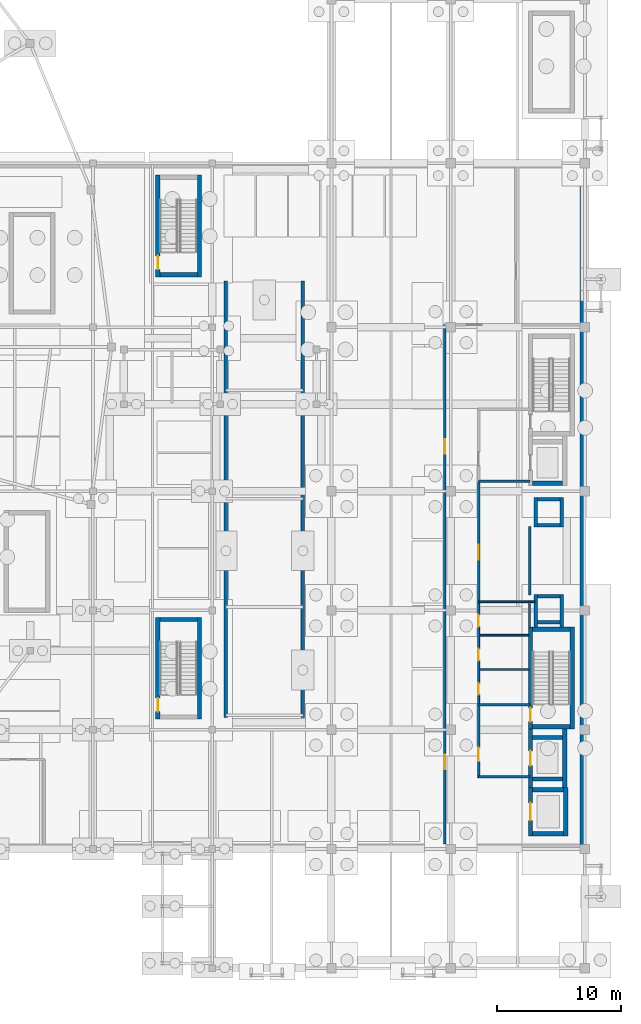
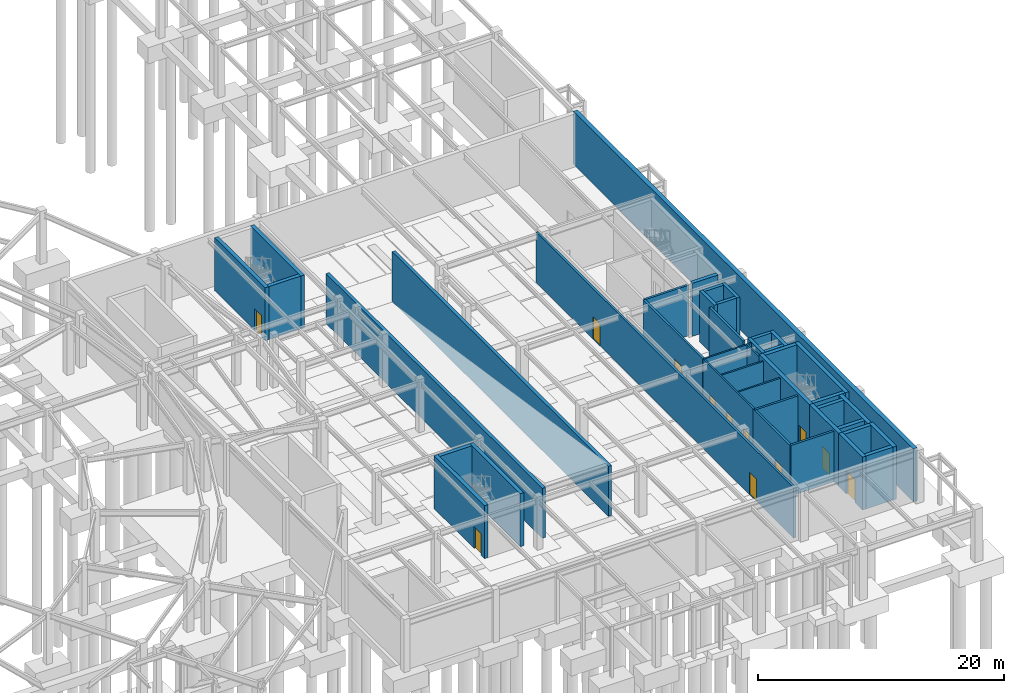
# One storey, part 48 of 55: 42 walls, 12 doors, 12 openings.
"""IFC4 building model written with IfcOpenShell, lengths in metres."""

from ifc_helpers import new_model, si_unit, direction, frame, frame_2d, origin, place, context, subcontext, project, spatial, rectangle, extrude, material, layer, layer_set, type_object, element, fill, save


model = new_model("IFC4")

# Units and contexts
model_context = context("Model", 3, precision=1e-05, world=origin(), true_north=direction((0.0, 1.0)))
body_context = subcontext(model_context, "Body", "Model", "MODEL_VIEW")
ifc_project = project(units=[si_unit("LENGTHUNIT", "METRE"), si_unit("AREAUNIT", "SQUARE_METRE"), si_unit("VOLUMEUNIT", "CUBIC_METRE"), si_unit("PLANEANGLEUNIT", "RADIAN"), si_unit("MASSUNIT", "GRAM", prefix="KILO")], contexts=[model_context])

# Site, building, storey
site_placement = place(None, origin())
site = spatial("IfcSite", under=ifc_project, at=site_placement, CompositionType="ELEMENT")
building_placement = place(site_placement, origin())
building = spatial("IfcBuilding", under=site, at=building_placement, Name="Almandine Court Research Institute", CompositionType="ELEMENT")
storey_placement = place(building_placement, frame((0.0, 0.0, -5.25)))
storey = spatial("IfcBuildingStorey", under=building, at=storey_placement, Name="B1", CompositionType="ELEMENT", Elevation=-5.25)

# Wall, opening, door
ifc_material_1 = material(Name="Two-Hour Fire-Barrier Enclosure Wall")
ifc_layer_1 = layer(ifc_material_1, 0.199951171875)
ifc_layer_set_1 = layer_set([ifc_layer_1], Name="Two-Hour Fire-Barrier Enclosure Wall")
wall_type_1 = type_object("IfcWallType", Name="Wall-FIRE-200", PredefinedType="SOLIDWALL", material=ifc_layer_set_1)
wall_1_placement = place(storey_placement, frame((165.449951171875, 21.300048828125, 0.0), z_axis=(0.0, 0.0, 1.0), x_axis=(0.0, 1.0, 0.0)))
wall_1 = element("IfcWall", 1, at=wall_1_placement, inside=storey, type_object=wall_type_1, Name="B1 Interior Partition W-FFL1-B1-W", PredefinedType="SOLIDWALL", context=body_context, shape_type="SweptSolid", body=[
    extrude(rectangle(XDim=6.0, YDim=0.199951171875, at=frame_2d((3.0, 0.0))), origin(), (0.0, 0.0, 1.0), 5.0),
])
opening_1_placement = place(wall_1_placement, frame((1.35009765625, 0.0, 0.0)))
opening_1 = element("IfcOpeningElement", 2, at=opening_1_placement, cuts=wall_1, Name="Opening FD-FFL", PredefinedType="OPENING", context=body_context, shape_type="SweptSolid", body=[
    extrude(rectangle(XDim=1.10009765625, YDim=2.14990234375, at=frame_2d((0.550048828125, 1.074951171875))), frame((0.0, 0.10986328125, 0.0), z_axis=(0.0, -1.0, 0.0), x_axis=(1.0, 0.0, 0.0)), (0.0, 0.0, 1.0), 0.219970703125),
])
ifc_material_2 = material(Name="Smoke-Tight Firefighting Lobby Fire Door")
door_type_1 = type_object("IfcDoorType", Name="Door-FD-FFL-1100", OperationType="NOTDEFINED", PredefinedType="DOOR", material=ifc_material_2)
door_1_placement = place(opening_1_placement, origin())
door_1 = element("IfcDoor", 3, at=door_1_placement, inside=storey, type_object=door_type_1, Name="B1 Firefighting Lobby Fire Door 1", OperationType="SINGLE_SWING_RIGHT", OverallHeight=2.14990234375, OverallWidth=1.10009765625, PredefinedType="DOOR", context=body_context, shape_type="SweptSolid", body=[
    extrude(rectangle(XDim=1.10009765625, YDim=2.14990234375, at=frame_2d((0.550048828125, 1.074951171875))), frame((0.0, 0.02490234375, 0.0), z_axis=(0.0, -1.0, 0.0), x_axis=(1.0, 0.0, 0.0)), (0.0, 0.0, 1.0), 0.050048828125),
])
fill(opening_1, door_1)

# Walls
for number, where, z_axis, x_axis, name in (
    (4, (165.449951171875, 21.39990234375, 0.0), (0.0, 0.0, 1.0), (1.0, 0.0, 0.0), "B1 Interior Partition W-FFL1-B1-S"),
    (5, (165.449951171875, 27.199951171875, 0.0), (0.0, 0.0, 1.0), (1.0, 0.0, 0.0), "B1 Interior Partition W-FFL1-B1-N"),
    (6, (165.449951171875, 45.199951171875, 0.0), (0.0, 0.0, 1.0), (1.0, 0.0, 0.0), "B1 Interior Partition W-FFL2-B1-S"),
):
    element("IfcWall", number, at=place(storey_placement, frame(where, z_axis=z_axis, x_axis=x_axis)), inside=storey, type_object=wall_type_1, Name=name, PredefinedType="SOLIDWALL", context=body_context, shape_type="SweptSolid", body=[
        extrude(rectangle(XDim=4.150146484375, YDim=0.199951171875, at=frame_2d((2.0751953125, 0.0))), origin(), (0.0, 0.0, 1.0), 5.0),
    ])

# Wall, opening, door
wall_2_placement = place(storey_placement, frame((165.449951171875, 35.5, 0.0), z_axis=(0.0, 0.0, 1.0), x_axis=(0.0, 1.0, 0.0)))
wall_2 = element("IfcWall", 7, at=wall_2_placement, inside=storey, type_object=wall_type_1, Name="B1 Interior Partition W-B1-WATE", PredefinedType="SOLIDWALL", context=body_context, shape_type="SweptSolid", body=[
    extrude(rectangle(XDim=9.699951171875, YDim=0.199951171875, at=frame_2d((4.85009765625, 0.0))), origin(), (0.0, 0.0, 1.0), 5.0),
])
opening_2_placement = place(wall_2_placement, frame((3.39990234375, 0.0, 0.0)))
opening_2 = element("IfcOpeningElement", 8, at=opening_2_placement, cuts=wall_2, Name="Opening FD-LAB", PredefinedType="OPENING", context=body_context, shape_type="SweptSolid", body=[
    extrude(rectangle(XDim=1.199951171875, YDim=2.199951171875, at=frame_2d((0.60009765625, 1.10009765625))), frame((0.0, 0.10986328125, 0.0), z_axis=(0.0, -1.0, 0.0), x_axis=(1.0, 0.0, 0.0)), (0.0, 0.0, 1.0), 0.219970703125),
])
ifc_material_3 = material(Name="Fire-Rated Laboratory Containment Door")
door_type_2 = type_object("IfcDoorType", Name="Door-FD-LAB-1200", OperationType="NOTDEFINED", PredefinedType="DOOR", material=ifc_material_3)
door_2_placement = place(opening_2_placement, origin())
door_2 = element("IfcDoor", 9, at=door_2_placement, inside=storey, type_object=door_type_2, Name="B1 Water Treatment Plant Fire Door", OperationType="SINGLE_SWING_RIGHT", OverallHeight=2.199951171875, OverallWidth=1.199951171875, PredefinedType="DOOR", context=body_context, shape_type="SweptSolid", body=[
    extrude(rectangle(XDim=1.199951171875, YDim=2.199951171875, at=frame_2d((0.60009765625, 1.10009765625))), frame((0.0, 0.02490234375, 0.0), z_axis=(0.0, -1.0, 0.0), x_axis=(1.0, 0.0, 0.0)), (0.0, 0.0, 1.0), 0.050048828125),
])
fill(opening_2, door_2)

# Wall
wall_3_placement = place(storey_placement, frame((169.550048828125, 36.050048828125, 0.0), z_axis=(0.0, 0.0, 1.0), x_axis=(0.0, 1.0, 0.0)))
element("IfcWall", 10, at=wall_3_placement, inside=storey, type_object=wall_type_1, Name="B1 Interior Partition W-B1-WATE-E", PredefinedType="SOLIDWALL", context=body_context, shape_type="SweptSolid", body=[
    extrude(rectangle(XDim=5.5, YDim=0.199951171875, at=frame_2d((2.75, 0.0))), origin(), (0.0, 0.0, 1.0), 5.0),
])

# Wall, openings, doors
wall_4_placement = place(storey_placement, frame((162.719970703125, 16.0, 0.0), z_axis=(0.0, 0.0, 1.0), x_axis=(0.0, 1.0, 0.0)))
wall_4 = element("IfcWall", 11, at=wall_4_placement, inside=storey, type_object=wall_type_1, Name="B1 Interior Partition W-B1-CP-EAST", PredefinedType="SOLIDWALL", context=body_context, shape_type="SweptSolid", body=[
    extrude(rectangle(XDim=41.800048828125, YDim=0.199951171875, at=frame_2d((20.89990234375, 0.0))), origin(), (0.0, 0.0, 1.0), 5.0),
])
opening_3_placement = place(wall_4_placement, frame((6.0, 0.0, 0.0)))
opening_3 = element("IfcOpeningElement", 12, at=opening_3_placement, cuts=wall_4, Name="Opening FD-LAB", PredefinedType="OPENING", context=body_context, shape_type="SweptSolid", body=[
    extrude(rectangle(XDim=1.199951171875, YDim=2.199951171875, at=frame_2d((0.60009765625, 1.10009765625))), frame((0.0, 0.10986328125, 0.0), z_axis=(0.0, -1.0, 0.0), x_axis=(1.0, 0.0, 0.0)), (0.0, 0.0, 1.0), 0.219970703125),
])
opening_4_placement = place(wall_4_placement, frame((31.39990234375, 0.0, 0.0)))
opening_4 = element("IfcOpeningElement", 13, at=opening_4_placement, cuts=wall_4, Name="Opening FD-LAB", PredefinedType="OPENING", context=body_context, shape_type="SweptSolid", body=[
    extrude(rectangle(XDim=1.199951171875, YDim=2.199951171875, at=frame_2d((0.60009765625, 1.10009765625))), frame((0.0, 0.10986328125, 0.0), z_axis=(0.0, -1.0, 0.0), x_axis=(1.0, 0.0, 0.0)), (0.0, 0.0, 1.0), 0.219970703125),
])
door_3_placement = place(opening_3_placement, origin())
door_3 = element("IfcDoor", 14, at=door_3_placement, inside=storey, type_object=door_type_2, Name="B1 Car Park South Core Corridor Fire Door", OperationType="SINGLE_SWING_LEFT", OverallHeight=2.199951171875, OverallWidth=1.199951171875, PredefinedType="DOOR", context=body_context, shape_type="SweptSolid", body=[
    extrude(rectangle(XDim=1.199951171875, YDim=2.199951171875, at=frame_2d((0.60009765625, 1.10009765625))), frame((0.0, 0.02490234375, 0.0), z_axis=(0.0, -1.0, 0.0), x_axis=(1.0, 0.0, 0.0)), (0.0, 0.0, 1.0), 0.050048828125),
])
fill(opening_3, door_3)
door_4_placement = place(opening_4_placement, origin())
door_4 = element("IfcDoor", 15, at=door_4_placement, inside=storey, type_object=door_type_2, Name="B1 Car Park North Core Corridor Fire Door", OperationType="SINGLE_SWING_RIGHT", OverallHeight=2.199951171875, OverallWidth=1.199951171875, PredefinedType="DOOR", context=body_context, shape_type="SweptSolid", body=[
    extrude(rectangle(XDim=1.199951171875, YDim=2.199951171875, at=frame_2d((0.60009765625, 1.10009765625))), frame((0.0, 0.02490234375, 0.0), z_axis=(0.0, -1.0, 0.0), x_axis=(1.0, 0.0, 0.0)), (0.0, 0.0, 1.0), 0.050048828125),
])
fill(opening_4, door_4)

# Walls
ifc_material_4 = material(Name="Acoustic Steel-Stud Gypsum Partition Wall", Category="steel")
ifc_layer_2 = layer(ifc_material_4, 0.14990234375)
ifc_layer_set_2 = layer_set([ifc_layer_2], Name="Acoustic Steel-Stud Gypsum Partition Wall")
wall_type_2 = type_object("IfcWallType", Name="Wall-PART-150", PredefinedType="PARTITIONING", material=ifc_layer_set_2)
for number, where, z_axis, x_axis, name in (
    (16, (165.550048828125, 30.050048828125, 0.0), (0.0, 0.0, 1.0), (1.0, 0.0, 0.0), "B1 Interior Partition W-B1-WCS-2"),
    (17, (165.550048828125, 32.800048828125, 0.0), (0.0, 0.0, 1.0), (1.0, 0.0, 0.0), "B1 Interior Partition W-B1-WCS-3"),
):
    element("IfcWall", number, at=place(storey_placement, frame(where, z_axis=z_axis, x_axis=x_axis)), inside=storey, type_object=wall_type_2, Name=name, PredefinedType="PARTITIONING", context=body_context, shape_type="SweptSolid", body=[
        extrude(rectangle(XDim=3.949951171875, YDim=0.14990234375, at=frame_2d((1.97509765625, 0.0))), origin(), (0.0, 0.0, 1.0), 5.0),
    ])

# Wall, openings, doors
wall_5_placement = place(storey_placement, frame((165.449951171875, 27.300048828125, 0.0), z_axis=(0.0, 0.0, 1.0), x_axis=(0.0, 1.0, 0.0)))
wall_5 = element("IfcWall", 18, at=wall_5_placement, inside=storey, type_object=wall_type_2, Name="B1 Interior Partition W-B1-WCW-ALL", PredefinedType="PARTITIONING", context=body_context, shape_type="SweptSolid", body=[
    extrude(rectangle(XDim=8.199951171875, YDim=0.14990234375, at=frame_2d((4.10009765625, 0.0))), origin(), (0.0, 0.0, 1.0), 5.0),
])
opening_5_placement = place(wall_5_placement, frame((0.699951171875, 0.0, 0.0)))
opening_5 = element("IfcOpeningElement", 19, at=opening_5_placement, cuts=wall_5, Name="Opening D-01", PredefinedType="OPENING", context=body_context, shape_type="SweptSolid", body=[
    extrude(rectangle(XDim=0.949951171875, YDim=2.10009765625, at=frame_2d((0.47509765625, 1.050048828125))), frame((0.0, 0.0849609375, 0.0), z_axis=(0.0, -1.0, 0.0), x_axis=(1.0, 0.0, 0.0)), (0.0, 0.0, 1.0), 0.169921875),
])
opening_6_placement = place(wall_5_placement, frame((3.449951171875, 0.0, 0.0)))
opening_6 = element("IfcOpeningElement", 20, at=opening_6_placement, cuts=wall_5, Name="Opening D-01", PredefinedType="OPENING", context=body_context, shape_type="SweptSolid", body=[
    extrude(rectangle(XDim=0.949951171875, YDim=2.10009765625, at=frame_2d((0.47509765625, 1.050048828125))), frame((0.0, 0.0849609375, 0.0), z_axis=(0.0, -1.0, 0.0), x_axis=(1.0, 0.0, 0.0)), (0.0, 0.0, 1.0), 0.169921875),
])
opening_7_placement = place(wall_5_placement, frame((6.199951171875, 0.0, 0.0)))
opening_7 = element("IfcOpeningElement", 21, at=opening_7_placement, cuts=wall_5, Name="Opening D-01", PredefinedType="OPENING", context=body_context, shape_type="SweptSolid", body=[
    extrude(rectangle(XDim=0.949951171875, YDim=2.10009765625, at=frame_2d((0.47509765625, 1.050048828125))), frame((0.0, 0.0849609375, 0.0), z_axis=(0.0, -1.0, 0.0), x_axis=(1.0, 0.0, 0.0)), (0.0, 0.0, 1.0), 0.169921875),
])
ifc_material_5 = material(Name="Solid-Core Timber Acoustic Room Door", Category="wood")
door_type_3 = type_object("IfcDoorType", Name="Door-INT-950", OperationType="NOTDEFINED", PredefinedType="DOOR", material=ifc_material_5)
door_5_placement = place(opening_5_placement, origin())
door_5 = element("IfcDoor", 22, at=door_5_placement, inside=storey, type_object=door_type_3, Name="B1 Male Toilet Door", OperationType="SINGLE_SWING_RIGHT", OverallHeight=2.10009765625, OverallWidth=0.949951171875, PredefinedType="DOOR", context=body_context, shape_type="SweptSolid", body=[
    extrude(rectangle(XDim=0.949951171875, YDim=2.10009765625, at=frame_2d((0.47509765625, 1.050048828125))), frame((0.0, 0.02490234375, 0.0), z_axis=(0.0, -1.0, 0.0), x_axis=(1.0, 0.0, 0.0)), (0.0, 0.0, 1.0), 0.050048828125),
])
fill(opening_5, door_5)
door_6_placement = place(opening_6_placement, origin())
door_6 = element("IfcDoor", 23, at=door_6_placement, inside=storey, type_object=door_type_3, Name="B1 Female Toilet Door", OperationType="SINGLE_SWING_LEFT", OverallHeight=2.10009765625, OverallWidth=0.949951171875, PredefinedType="DOOR", context=body_context, shape_type="SweptSolid", body=[
    extrude(rectangle(XDim=0.949951171875, YDim=2.10009765625, at=frame_2d((0.47509765625, 1.050048828125))), frame((0.0, 0.02490234375, 0.0), z_axis=(0.0, -1.0, 0.0), x_axis=(1.0, 0.0, 0.0)), (0.0, 0.0, 1.0), 0.050048828125),
])
fill(opening_6, door_6)
door_7_placement = place(opening_7_placement, origin())
door_7 = element("IfcDoor", 24, at=door_7_placement, inside=storey, type_object=door_type_3, Name="B1 Accessible WC Door", OperationType="SINGLE_SWING_RIGHT", OverallHeight=2.10009765625, OverallWidth=0.949951171875, PredefinedType="DOOR", context=body_context, shape_type="SweptSolid", body=[
    extrude(rectangle(XDim=0.949951171875, YDim=2.10009765625, at=frame_2d((0.47509765625, 1.050048828125))), frame((0.0, 0.02490234375, 0.0), z_axis=(0.0, -1.0, 0.0), x_axis=(1.0, 0.0, 0.0)), (0.0, 0.0, 1.0), 0.050048828125),
])
fill(opening_7, door_7)

# Walls
wall_6_placement = place(storey_placement, frame((169.550048828125, 33.39990234375, 0.0), z_axis=(0.0, 0.0, 1.0), x_axis=(0.0, 1.0, 0.0)))
element("IfcWall", 25, at=wall_6_placement, inside=storey, type_object=wall_type_2, Name="B1 Interior Partition W-B1-WCE-N", PredefinedType="PARTITIONING", context=body_context, shape_type="SweptSolid", body=[
    extrude(rectangle(XDim=2.150146484375, YDim=0.14990234375, at=frame_2d((1.0751953125, 0.0))), origin(), (0.0, 0.0, 1.0), 5.0),
])
wall_7_placement = place(storey_placement, frame((165.449951171875, 35.5, 0.0), z_axis=(0.0, 0.0, 1.0), x_axis=(1.0, 0.0, 0.0)))
element("IfcWall", 26, at=wall_7_placement, inside=storey, type_object=wall_type_2, Name="B1 Interior Partition W-B1-WCN", PredefinedType="PARTITIONING", context=body_context, shape_type="SweptSolid", body=[
    extrude(rectangle(XDim=4.5, YDim=0.14990234375, at=frame_2d((2.25, 0.0))), origin(), (0.0, 0.0, 1.0), 5.0),
])
ifc_material_6 = material(Name="Concrete C40/50", Category="concrete")
ifc_layer_3 = layer(ifc_material_6, 0.39990234375)
ifc_layer_set_3 = layer_set([ifc_layer_3], Name="Concrete C40/50")
wall_type_3 = type_object("IfcWallType", Name="Wall-RW-B1-400", PredefinedType="USERDEFINED", material=ifc_layer_set_3)
wall_8_placement = place(storey_placement, frame((173.800048828125, 70.800048828125, 0.0), z_axis=(0.0, 0.0, 1.0), x_axis=(0.0, -1.0, 0.0)))
element("IfcWall", 27, at=wall_8_placement, inside=storey, type_object=wall_type_3, Name="B1 Basement Perimeter Retaining E Shear Wall", ObjectType="RETAINING WALL", PredefinedType="USERDEFINED", context=body_context, shape_type="SweptSolid", body=[
    extrude(rectangle(XDim=55.199951171875, YDim=0.39990234375, at=frame_2d((27.60009765625, 0.0))), origin(), (0.0, 0.0, 1.0), 5.25),
])
ifc_layer_4 = layer(ifc_material_6, 0.300048828125)
ifc_layer_set_4 = layer_set([ifc_layer_4], Name="Concrete C40/50")
wall_type_4 = type_object("IfcWallType", Name="Wall-SW-CORE-300", PredefinedType="SHEAR", material=ifc_layer_set_4)
for number, where, z_axis, x_axis, name in (
    (28, (145.10009765625, 26.199951171875, 0.0), (0.0, 0.0, 1.0), (0.0, 1.0, 0.0), "B1 Vehicle Ramp West Structural Support Wall"),
    (29, (151.300048828125, 26.199951171875, 0.0), (0.0, 0.0, 1.0), (0.0, 1.0, 0.0), "B1 Vehicle Ramp East Structural Support Wall"),
):
    element("IfcWall", number, at=place(storey_placement, frame(where, z_axis=z_axis, x_axis=x_axis)), inside=storey, type_object=wall_type_4, Name=name, PredefinedType="SHEAR", context=body_context, shape_type="SweptSolid", body=[
        extrude(rectangle(XDim=35.10009765625, YDim=0.300048828125, at=frame_2d((17.550048828125, 0.0))), origin(), (0.0, 0.0, 1.0), 4.949951171875),
    ])
wall_9_placement = place(storey_placement, frame((170.050048828125, 33.449951171875, 0.0), z_axis=(0.0, 0.0, 1.0), x_axis=(0.0, 1.0, 0.0)))
element("IfcWall", 30, at=wall_9_placement, inside=storey, type_object=wall_type_4, Name="B1 MEP Riser RS-V4A W Shear Wall", PredefinedType="SHEAR", context=body_context, shape_type="SweptSolid", body=[
    extrude(rectangle(XDim=2.650146484375, YDim=0.300048828125, at=frame_2d((1.3251953125, 0.0))), origin(), (0.0, 0.0, 1.0), 5.070068359375),
])
wall_10_placement = place(storey_placement, frame((170.199951171875, 35.949951171875, 0.0), z_axis=(0.0, 0.0, 1.0), x_axis=(1.0, 0.0, 0.0)))
element("IfcWall", 31, at=wall_10_placement, inside=storey, type_object=wall_type_4, Name="B1 MEP Riser RS-V4A N Shear Wall", PredefinedType="SHEAR", context=body_context, shape_type="SweptSolid", body=[
    extrude(rectangle(XDim=1.800048828125, YDim=0.300048828125, at=frame_2d((0.89990234375, 0.0))), origin(), (0.0, 0.0, 1.0), 5.070068359375),
])
wall_11_placement = place(storey_placement, frame((172.14990234375, 36.10009765625, 0.0), z_axis=(0.0, 0.0, 1.0), x_axis=(0.0, -1.0, 0.0)))
element("IfcWall", 32, at=wall_11_placement, inside=storey, type_object=wall_type_4, Name="B1 MEP Riser RS-V4A E Shear Wall", PredefinedType="SHEAR", context=body_context, shape_type="SweptSolid", body=[
    extrude(rectangle(XDim=2.650146484375, YDim=0.300048828125, at=frame_2d((1.3251953125, 0.0))), origin(), (0.0, 0.0, 1.0), 5.070068359375),
])
wall_12_placement = place(storey_placement, frame((172.0, 33.85009765625, 0.0), z_axis=(0.0, 0.0, 1.0), x_axis=(-1.0, 0.0, 0.0)))
element("IfcWall", 33, at=wall_12_placement, inside=storey, type_object=wall_type_4, Name="B1 MEP Riser RS-V4A S Shear Wall", PredefinedType="SHEAR", context=body_context, shape_type="SweptSolid", body=[
    extrude(rectangle(XDim=1.800048828125, YDim=0.300048828125, at=frame_2d((0.89990234375, 0.0))), origin(), (0.0, 0.0, 1.0), 5.070068359375),
])
wall_13_placement = place(storey_placement, frame((170.050048828125, 41.5, 0.0), z_axis=(0.0, 0.0, 1.0), x_axis=(0.0, 1.0, 0.0)))
element("IfcWall", 34, at=wall_13_placement, inside=storey, type_object=wall_type_4, Name="B1 MEP Riser RS-V4B W Shear Wall", PredefinedType="SHEAR", context=body_context, shape_type="SweptSolid", body=[
    extrude(rectangle(XDim=2.39990234375, YDim=0.300048828125, at=frame_2d((1.199951171875, 0.0))), origin(), (0.0, 0.0, 1.0), 5.070068359375),
])
wall_14_placement = place(storey_placement, frame((170.199951171875, 43.75, 0.0), z_axis=(0.0, 0.0, 1.0), x_axis=(1.0, 0.0, 0.0)))
element("IfcWall", 35, at=wall_14_placement, inside=storey, type_object=wall_type_4, Name="B1 MEP Riser RS-V4B N Shear Wall", PredefinedType="SHEAR", context=body_context, shape_type="SweptSolid", body=[
    extrude(rectangle(XDim=1.800048828125, YDim=0.300048828125, at=frame_2d((0.89990234375, 0.0))), origin(), (0.0, 0.0, 1.0), 5.070068359375),
])
wall_15_placement = place(storey_placement, frame((172.14990234375, 43.89990234375, 0.0), z_axis=(0.0, 0.0, 1.0), x_axis=(0.0, -1.0, 0.0)))
element("IfcWall", 36, at=wall_15_placement, inside=storey, type_object=wall_type_4, Name="B1 MEP Riser RS-V4B E Shear Wall", PredefinedType="SHEAR", context=body_context, shape_type="SweptSolid", body=[
    extrude(rectangle(XDim=2.39990234375, YDim=0.300048828125, at=frame_2d((1.199951171875, 0.0))), origin(), (0.0, 0.0, 1.0), 5.070068359375),
])
wall_16_placement = place(storey_placement, frame((172.0, 41.64990234375, 0.0), z_axis=(0.0, 0.0, 1.0), x_axis=(-1.0, 0.0, 0.0)))
element("IfcWall", 37, at=wall_16_placement, inside=storey, type_object=wall_type_4, Name="B1 MEP Riser RS-V4B S Shear Wall", PredefinedType="SHEAR", context=body_context, shape_type="SweptSolid", body=[
    extrude(rectangle(XDim=1.800048828125, YDim=0.300048828125, at=frame_2d((0.89990234375, 0.0))), origin(), (0.0, 0.0, 1.0), 5.070068359375),
])

# Wall, opening, door
ifc_layer_5 = layer(ifc_material_6, 0.35009765625)
ifc_layer_set_5 = layer_set([ifc_layer_5], Name="Concrete C40/50")
wall_type_5 = type_object("IfcWallType", Name="Wall-SW-CORE-350", PredefinedType="SHEAR", material=ifc_layer_set_5)
wall_17_placement = place(storey_placement, frame((169.625, 25.25, 0.0), z_axis=(0.0, 0.0, 1.0), x_axis=(0.0, 1.0, 0.0)))
wall_17 = element("IfcWall", 38, at=wall_17_placement, inside=storey, type_object=wall_type_5, Name="B1 ST-07 W Shear Wall", PredefinedType="SHEAR", context=body_context, shape_type="SweptSolid", body=[
    extrude(rectangle(XDim=8.199951171875, YDim=0.35009765625, at=frame_2d((4.10009765625, 0.0))), origin(), (0.0, 0.0, 1.0), 5.25),
])
opening_8_placement = place(wall_17_placement, frame((0.60009765625, 0.0, 0.0)))
opening_8 = element("IfcOpeningElement", 39, at=opening_8_placement, cuts=wall_17, Name="Opening FD-STAIR", PredefinedType="OPENING", context=body_context, shape_type="SweptSolid", body=[
    extrude(rectangle(XDim=1.10009765625, YDim=2.14990234375, at=frame_2d((0.550048828125, 1.074951171875))), frame((0.0, 0.18505859375, 0.0), z_axis=(0.0, -1.0, 0.0), x_axis=(1.0, 0.0, 0.0)), (0.0, 0.0, 1.0), 0.3701171875),
])
ifc_material_7 = material(Name="Self-Closing Steel Exit Stair Fire Door", Category="steel")
door_type_4 = type_object("IfcDoorType", Name="Door-FD-STAIR-1100", OperationType="NOTDEFINED", PredefinedType="DOOR", material=ifc_material_7)
door_8_placement = place(opening_8_placement, origin())
door_8 = element("IfcDoor", 40, at=door_8_placement, inside=storey, type_object=door_type_4, Name="B1 Exit Stair ST-07 Fire Door", OperationType="SINGLE_SWING_RIGHT", OverallHeight=2.14990234375, OverallWidth=1.10009765625, PredefinedType="DOOR", context=body_context, shape_type="SweptSolid", body=[
    extrude(rectangle(XDim=1.10009765625, YDim=2.14990234375, at=frame_2d((0.550048828125, 1.074951171875))), frame((0.0, 0.02490234375, 0.0), z_axis=(0.0, -1.0, 0.0), x_axis=(1.0, 0.0, 0.0)), (0.0, 0.0, 1.0), 0.050048828125),
])
fill(opening_8, door_8)

# Walls
wall_18_placement = place(storey_placement, frame((169.800048828125, 33.27490234375, 0.0), z_axis=(0.0, 0.0, 1.0), x_axis=(1.0, 0.0, 0.0)))
element("IfcWall", 41, at=wall_18_placement, inside=storey, type_object=wall_type_5, Name="B1 ST-07 N Shear Wall", PredefinedType="SHEAR", context=body_context, shape_type="SweptSolid", body=[
    extrude(rectangle(XDim=3.0, YDim=0.35009765625, at=frame_2d((1.5, 0.0))), origin(), (0.0, 0.0, 1.0), 5.25),
])
wall_19_placement = place(storey_placement, frame((172.97509765625, 33.449951171875, 0.0), z_axis=(0.0, 0.0, 1.0), x_axis=(0.0, -1.0, 0.0)))
element("IfcWall", 42, at=wall_19_placement, inside=storey, type_object=wall_type_5, Name="B1 ST-07 E Shear Wall", PredefinedType="SHEAR", context=body_context, shape_type="SweptSolid", body=[
    extrude(rectangle(XDim=8.199951171875, YDim=0.35009765625, at=frame_2d((4.10009765625, 0.0))), origin(), (0.0, 0.0, 1.0), 5.25),
])
wall_20_placement = place(storey_placement, frame((172.800048828125, 25.425048828125, 0.0), z_axis=(0.0, 0.0, 1.0), x_axis=(-1.0, 0.0, 0.0)))
element("IfcWall", 43, at=wall_20_placement, inside=storey, type_object=wall_type_5, Name="B1 ST-07 S Shear Wall", PredefinedType="SHEAR", context=body_context, shape_type="SweptSolid", body=[
    extrude(rectangle(XDim=3.0, YDim=0.35009765625, at=frame_2d((1.5, 0.0))), origin(), (0.0, 0.0, 1.0), 5.25),
])

# Wall, opening, door
wall_21_placement = place(storey_placement, frame((139.625, 26.050048828125, 0.0), z_axis=(0.0, 0.0, 1.0), x_axis=(0.0, 1.0, 0.0)))
wall_21 = element("IfcWall", 44, at=wall_21_placement, inside=storey, type_object=wall_type_5, Name="B1 ST-11 W Shear Wall", PredefinedType="SHEAR", context=body_context, shape_type="SweptSolid", body=[
    extrude(rectangle(XDim=8.199951171875, YDim=0.35009765625, at=frame_2d((4.10009765625, 0.0))), origin(), (0.0, 0.0, 1.0), 5.25),
])
opening_9_placement = place(wall_21_placement, frame((0.60009765625, 0.0, 0.0)))
opening_9 = element("IfcOpeningElement", 45, at=opening_9_placement, cuts=wall_21, Name="Opening FD-STAIR", PredefinedType="OPENING", context=body_context, shape_type="SweptSolid", body=[
    extrude(rectangle(XDim=1.10009765625, YDim=2.14990234375, at=frame_2d((0.550048828125, 1.074951171875))), frame((0.0, 0.18505859375, 0.0), z_axis=(0.0, -1.0, 0.0), x_axis=(1.0, 0.0, 0.0)), (0.0, 0.0, 1.0), 0.3701171875),
])
door_9_placement = place(opening_9_placement, origin())
door_9 = element("IfcDoor", 46, at=door_9_placement, inside=storey, type_object=door_type_4, Name="B1 Exit Stair ST-11 Fire Door", OperationType="SINGLE_SWING_RIGHT", OverallHeight=2.14990234375, OverallWidth=1.10009765625, PredefinedType="DOOR", context=body_context, shape_type="SweptSolid", body=[
    extrude(rectangle(XDim=1.10009765625, YDim=2.14990234375, at=frame_2d((0.550048828125, 1.074951171875))), frame((0.0, 0.02490234375, 0.0), z_axis=(0.0, -1.0, 0.0), x_axis=(1.0, 0.0, 0.0)), (0.0, 0.0, 1.0), 0.050048828125),
])
fill(opening_9, door_9)

# Walls
wall_22_placement = place(storey_placement, frame((139.800048828125, 34.074951171875, 0.0), z_axis=(0.0, 0.0, 1.0), x_axis=(1.0, 0.0, 0.0)))
element("IfcWall", 47, at=wall_22_placement, inside=storey, type_object=wall_type_5, Name="B1 ST-11 N Shear Wall", PredefinedType="SHEAR", context=body_context, shape_type="SweptSolid", body=[
    extrude(rectangle(XDim=3.0, YDim=0.35009765625, at=frame_2d((1.5, 0.0))), origin(), (0.0, 0.0, 1.0), 5.25),
])
wall_23_placement = place(storey_placement, frame((142.97509765625, 34.25, 0.0), z_axis=(0.0, 0.0, 1.0), x_axis=(0.0, -1.0, 0.0)))
element("IfcWall", 48, at=wall_23_placement, inside=storey, type_object=wall_type_5, Name="B1 ST-11 E Shear Wall", PredefinedType="SHEAR", context=body_context, shape_type="SweptSolid", body=[
    extrude(rectangle(XDim=8.199951171875, YDim=0.35009765625, at=frame_2d((4.10009765625, 0.0))), origin(), (0.0, 0.0, 1.0), 5.25),
])

# Wall, opening, door
wall_24_placement = place(storey_placement, frame((139.625, 61.64990234375, 0.0), z_axis=(0.0, 0.0, 1.0), x_axis=(0.0, 1.0, 0.0)))
wall_24 = element("IfcWall", 49, at=wall_24_placement, inside=storey, type_object=wall_type_5, Name="B1 ST-12 W Shear Wall", PredefinedType="SHEAR", context=body_context, shape_type="SweptSolid", body=[
    extrude(rectangle(XDim=8.2001953125, YDim=0.35009765625, at=frame_2d((4.10009765625, 0.0))), origin(), (0.0, 0.0, 1.0), 5.25),
])
opening_10_placement = place(wall_24_placement, frame((0.60009765625, 0.0, 0.0)))
opening_10 = element("IfcOpeningElement", 50, at=opening_10_placement, cuts=wall_24, Name="Opening FD-STAIR", PredefinedType="OPENING", context=body_context, shape_type="SweptSolid", body=[
    extrude(rectangle(XDim=1.10009765625, YDim=2.14990234375, at=frame_2d((0.550048828125, 1.074951171875))), frame((0.0, 0.18505859375, 0.0), z_axis=(0.0, -1.0, 0.0), x_axis=(1.0, 0.0, 0.0)), (0.0, 0.0, 1.0), 0.3701171875),
])
door_10_placement = place(opening_10_placement, origin())
door_10 = element("IfcDoor", 51, at=door_10_placement, inside=storey, type_object=door_type_4, Name="B1 Exit Stair ST-12 Fire Door", OperationType="SINGLE_SWING_RIGHT", OverallHeight=2.14990234375, OverallWidth=1.10009765625, PredefinedType="DOOR", context=body_context, shape_type="SweptSolid", body=[
    extrude(rectangle(XDim=1.10009765625, YDim=2.14990234375, at=frame_2d((0.550048828125, 1.074951171875))), frame((0.0, 0.02490234375, 0.0), z_axis=(0.0, -1.0, 0.0), x_axis=(1.0, 0.0, 0.0)), (0.0, 0.0, 1.0), 0.050048828125),
])
fill(opening_10, door_10)

# Walls
wall_25_placement = place(storey_placement, frame((142.97509765625, 69.85009765625, 0.0), z_axis=(0.0, 0.0, 1.0), x_axis=(0.0, -1.0, 0.0)))
element("IfcWall", 52, at=wall_25_placement, inside=storey, type_object=wall_type_5, Name="B1 ST-12 E Shear Wall", PredefinedType="SHEAR", context=body_context, shape_type="SweptSolid", body=[
    extrude(rectangle(XDim=8.2001953125, YDim=0.35009765625, at=frame_2d((4.10009765625, 0.0))), origin(), (0.0, 0.0, 1.0), 5.25),
])
wall_26_placement = place(storey_placement, frame((142.800048828125, 61.824951171875, 0.0), z_axis=(0.0, 0.0, 1.0), x_axis=(-1.0, 0.0, 0.0)))
element("IfcWall", 53, at=wall_26_placement, inside=storey, type_object=wall_type_5, Name="B1 ST-12 S Shear Wall", PredefinedType="SHEAR", context=body_context, shape_type="SweptSolid", body=[
    extrude(rectangle(XDim=3.0, YDim=0.35009765625, at=frame_2d((1.5, 0.0))), origin(), (0.0, 0.0, 1.0), 5.25),
])

# Wall, opening, door
wall_27_placement = place(storey_placement, frame((169.625, 20.550048828125, 0.0), z_axis=(0.0, 0.0, 1.0), x_axis=(0.0, 1.0, 0.0)))
wall_27 = element("IfcWall", 54, at=wall_27_placement, inside=storey, type_object=wall_type_5, Name="B1 FL-01 Hoistway W Shear Wall", PredefinedType="SHEAR", context=body_context, shape_type="SweptSolid", body=[
    extrude(rectangle(XDim=4.699951171875, YDim=0.35009765625, at=frame_2d((2.35009765625, 0.0))), origin(), (0.0, 0.0, 1.0), 5.25),
])
opening_11_placement = place(wall_27_placement, frame((1.75, 0.0, 0.0)))
opening_11 = element("IfcOpeningElement", 55, at=opening_11_placement, cuts=wall_27, Name="Opening LD-02", PredefinedType="OPENING", context=body_context, shape_type="SweptSolid", body=[
    extrude(rectangle(XDim=1.199951171875, YDim=2.14990234375, at=frame_2d((0.60009765625, 1.074951171875))), frame((0.0, 0.18505859375, 0.0), z_axis=(0.0, -1.0, 0.0), x_axis=(1.0, 0.0, 0.0)), (0.0, 0.0, 1.0), 0.3701171875),
])
ifc_material_8 = material(Name="Firefighting Lift Landing Sliding Door")
door_type_5 = type_object("IfcDoorType", Name="Door-LD-FSAE-1200", OperationType="SLIDING_TO_LEFT", PredefinedType="USERDEFINED", material=ifc_material_8)
door_11_placement = place(opening_11_placement, origin())
door_11 = element("IfcDoor", 56, at=door_11_placement, inside=storey, type_object=door_type_5, Name="B1 Firefighting Lift FL-01 Sliding Landing Door", ObjectType="LANDING DOOR", OperationType="SLIDING_TO_LEFT", OverallHeight=2.14990234375, OverallWidth=1.199951171875, PredefinedType="USERDEFINED", context=body_context, shape_type="SweptSolid", body=[
    extrude(rectangle(XDim=1.199951171875, YDim=2.14990234375, at=frame_2d((0.60009765625, 1.074951171875))), frame((0.0, 0.02490234375, 0.0), z_axis=(0.0, -1.0, 0.0), x_axis=(1.0, 0.0, 0.0)), (0.0, 0.0, 1.0), 0.050048828125),
])
fill(opening_11, door_11)

# Walls
wall_28_placement = place(storey_placement, frame((169.800048828125, 24.574951171875, 0.0), z_axis=(0.0, 0.0, 1.0), x_axis=(1.0, 0.0, 0.0)))
element("IfcWall", 57, at=wall_28_placement, inside=storey, type_object=wall_type_5, Name="B1 FL-01 Hoistway N Shear Wall", PredefinedType="SHEAR", context=body_context, shape_type="SweptSolid", body=[
    extrude(rectangle(XDim=2.39990234375, YDim=0.35009765625, at=frame_2d((1.199951171875, 0.0))), origin(), (0.0, 0.0, 1.0), 5.25),
])
wall_29_placement = place(storey_placement, frame((172.375, 25.25, 0.0), z_axis=(0.0, 0.0, 1.0), x_axis=(0.0, -1.0, 0.0)))
element("IfcWall", 58, at=wall_29_placement, inside=storey, type_object=wall_type_5, Name="B1 FL-01 Hoistway E Shear Wall", PredefinedType="SHEAR", context=body_context, shape_type="SweptSolid", body=[
    extrude(rectangle(XDim=4.699951171875, YDim=0.35009765625, at=frame_2d((2.35009765625, 0.0))), origin(), (0.0, 0.0, 1.0), 5.25),
])
for number, where, z_axis, x_axis, name in (
    (59, (172.199951171875, 21.22509765625, 0.0), (0.0, 0.0, 1.0), (-1.0, 0.0, 0.0), "B1 FL-01 Hoistway S Shear Wall"),
    (60, (172.199951171875, 45.02490234375, 0.0), (0.0, 0.0, 1.0), (-1.0, 0.0, 0.0), "B1 FL-02 Hoistway S Shear Wall"),
):
    element("IfcWall", number, at=place(storey_placement, frame(where, z_axis=z_axis, x_axis=x_axis)), inside=storey, type_object=wall_type_5, Name=name, PredefinedType="SHEAR", context=body_context, shape_type="SweptSolid", body=[
        extrude(rectangle(XDim=2.39990234375, YDim=0.35009765625, at=frame_2d((1.199951171875, 0.0))), origin(), (0.0, 0.0, 1.0), 5.25),
    ])

# Wall, opening, door
wall_30_placement = place(storey_placement, frame((169.625, 16.64990234375, 0.0), z_axis=(0.0, 0.0, 1.0), x_axis=(0.0, 1.0, 0.0)))
wall_30 = element("IfcWall", 61, at=wall_30_placement, inside=storey, type_object=wall_type_5, Name="B1 GL-01 Hoistway W Shear Wall", PredefinedType="SHEAR", context=body_context, shape_type="SweptSolid", body=[
    extrude(rectangle(XDim=3.900146484375, YDim=0.35009765625, at=frame_2d((1.9501953125, 0.0))), origin(), (0.0, 0.0, 1.0), 5.25),
])
opening_12_placement = place(wall_30_placement, frame((1.25, 0.0, 0.0)))
opening_12 = element("IfcOpeningElement", 62, at=opening_12_placement, cuts=wall_30, Name="Opening LD-03", PredefinedType="OPENING", context=body_context, shape_type="SweptSolid", body=[
    extrude(rectangle(XDim=1.39990234375, YDim=2.300048828125, at=frame_2d((0.699951171875, 1.14990234375))), frame((0.0, 0.18505859375, 0.0), z_axis=(0.0, -1.0, 0.0), x_axis=(1.0, 0.0, 0.0)), (0.0, 0.0, 1.0), 0.3701171875),
])
ifc_material_9 = material(Name="Heavy Goods Lift Landing Sliding Door")
door_type_6 = type_object("IfcDoorType", Name="Door-LD-GOOD-1400", OperationType="SLIDING_TO_LEFT", PredefinedType="USERDEFINED", material=ifc_material_9)
door_12_placement = place(opening_12_placement, origin())
door_12 = element("IfcDoor", 63, at=door_12_placement, inside=storey, type_object=door_type_6, Name="B1 Wet Laboratory Goods Lift GL-01 Sliding Landing Door", ObjectType="LANDING DOOR", OperationType="SLIDING_TO_LEFT", OverallHeight=2.300048828125, OverallWidth=1.39990234375, PredefinedType="USERDEFINED", context=body_context, shape_type="SweptSolid", body=[
    extrude(rectangle(XDim=1.39990234375, YDim=2.300048828125, at=frame_2d((0.699951171875, 1.14990234375))), frame((0.0, 0.02490234375, 0.0), z_axis=(0.0, -1.0, 0.0), x_axis=(1.0, 0.0, 0.0)), (0.0, 0.0, 1.0), 0.050048828125),
])
fill(opening_12, door_12)

# Walls
wall_31_placement = place(storey_placement, frame((169.800048828125, 20.375, 0.0), z_axis=(0.0, 0.0, 1.0), x_axis=(1.0, 0.0, 0.0)))
element("IfcWall", 64, at=wall_31_placement, inside=storey, type_object=wall_type_5, Name="B1 GL-01 Hoistway N Shear Wall", PredefinedType="SHEAR", context=body_context, shape_type="SweptSolid", body=[
    extrude(rectangle(XDim=2.5, YDim=0.35009765625, at=frame_2d((1.25, 0.0))), origin(), (0.0, 0.0, 1.0), 5.25),
])
wall_32_placement = place(storey_placement, frame((172.47509765625, 20.550048828125, 0.0), z_axis=(0.0, 0.0, 1.0), x_axis=(0.0, -1.0, 0.0)))
element("IfcWall", 65, at=wall_32_placement, inside=storey, type_object=wall_type_5, Name="B1 GL-01 Hoistway E Shear Wall", PredefinedType="SHEAR", context=body_context, shape_type="SweptSolid", body=[
    extrude(rectangle(XDim=3.900146484375, YDim=0.35009765625, at=frame_2d((1.9501953125, 0.0))), origin(), (0.0, 0.0, 1.0), 5.25),
])
wall_33_placement = place(storey_placement, frame((172.300048828125, 16.824951171875, 0.0), z_axis=(0.0, 0.0, 1.0), x_axis=(-1.0, 0.0, 0.0)))
element("IfcWall", 66, at=wall_33_placement, inside=storey, type_object=wall_type_5, Name="B1 GL-01 Hoistway S Shear Wall", PredefinedType="SHEAR", context=body_context, shape_type="SweptSolid", body=[
    extrude(rectangle(XDim=2.5, YDim=0.35009765625, at=frame_2d((1.25, 0.0))), origin(), (0.0, 0.0, 1.0), 5.25),
])

save(model, "model.ifc")
